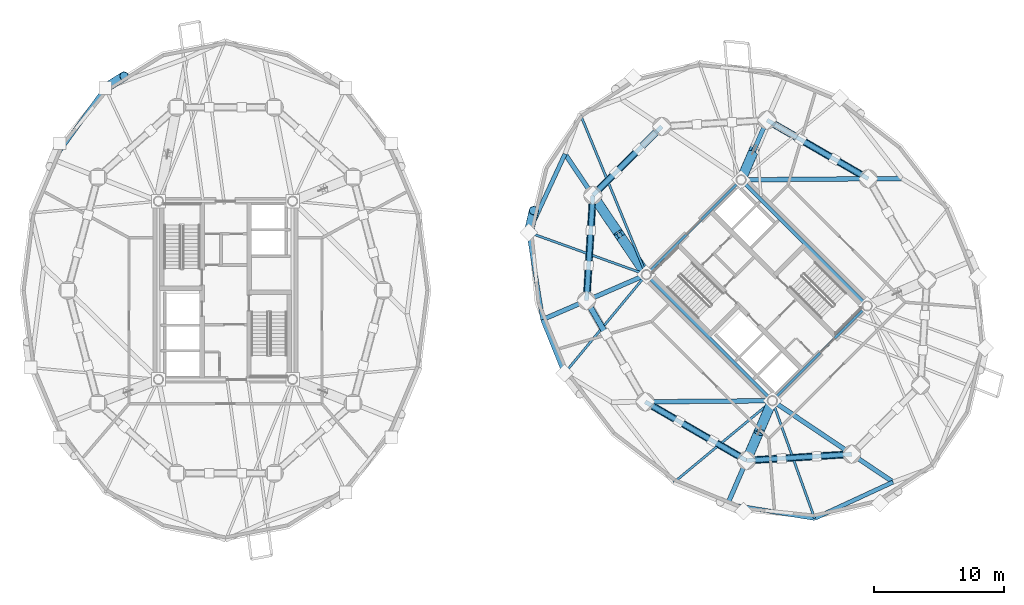
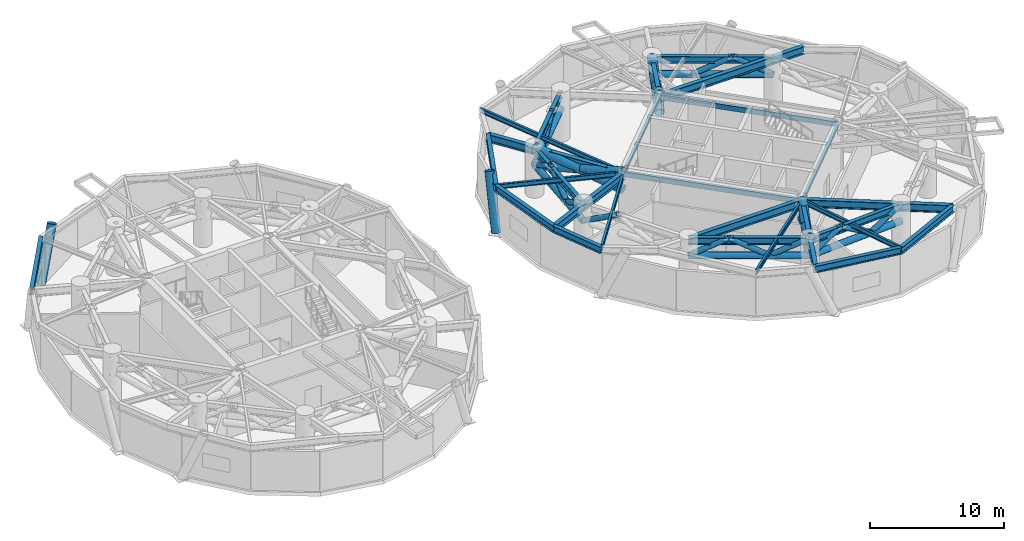
# One storey, part 3 of 16: 29 members, 27 beams.
"""IFC4 building model written with IfcOpenShell, lengths in metres."""

from ifc_helpers import new_model, si_unit, direction, frame, origin, origin_2d, place, context, subcontext, project, spatial, hollow_rectangle, hollow_circle, i_section, extrude, material, material_profile, profile_set, type_object, element, save


model = new_model("IFC4")

# Units and contexts
model_context = context("Model", 3, precision=1e-05, world=origin(), true_north=direction((0.0, 1.0)))
body_context = subcontext(model_context, "Body", "Model", "MODEL_VIEW")
ifc_project = project(units=[si_unit("LENGTHUNIT", "METRE"), si_unit("AREAUNIT", "SQUARE_METRE"), si_unit("VOLUMEUNIT", "CUBIC_METRE"), si_unit("PLANEANGLEUNIT", "RADIAN"), si_unit("MASSUNIT", "GRAM", prefix="KILO")], contexts=[model_context])

# Site, building, storey
site_placement = place(None, origin())
site = spatial("IfcSite", under=ifc_project, at=site_placement, CompositionType="ELEMENT")
building_placement = place(site_placement, origin())
building = spatial("IfcBuilding", under=site, at=building_placement, Name="Cununo Teusaquillo Station Towers", CompositionType="ELEMENT")
storey_placement = place(building_placement, frame((0.0, 0.0, 65.64990234375)))
storey = spatial("IfcBuildingStorey", under=building, at=storey_placement, Name="L20", CompositionType="ELEMENT", Elevation=65.64990234375)

# Beams
ifc_material_1 = material(Name="Steel EN 10025-2 S355J2", Category="steel")
ifc_material_profile_1 = material_profile(ifc_material_1, hollow_rectangle(XDim=0.25, YDim=0.449951171875, WallThickness=0.01611328125, at=origin_2d()), Name="RHS 450x250x16")
ifc_profile_set_1 = profile_set([ifc_material_profile_1], Name="Steel EN 10025-2 S355J2")
beam_type_1 = type_object("IfcBeamType", Name="BM-COUP-1", PredefinedType="USERDEFINED", material=ifc_profile_set_1)
for number, where, z_axis, x_axis, name in (
    (1, (58.70556640625, 15.975830078125, 4.03515625), (-0.707106781187, 0.707106781187, 0.0), (-0.707106781187, -0.707106781187, 0.0), "L20 Tower B Core Beam 1"),
    (2, (66.024169921875, 23.29443359375, 4.03515625), (-0.707106781187, 0.707106781187, 0.0), (-0.707106781187, -0.707106781187, 0.0), "L20 Tower B Core Beam 2"),
):
    element("IfcBeam", number, at=place(storey_placement, frame(where, z_axis=z_axis, x_axis=x_axis)), inside=storey, type_object=beam_type_1, Name=name, ObjectType="COUPLING BEAM", PredefinedType="USERDEFINED", context=body_context, shape_type="SweptSolid", body=[
        extrude(hollow_rectangle(XDim=0.25, YDim=0.449951171875, WallThickness=0.01611328125, at=origin_2d()), origin(), (0.0, 0.0, 1.0), 13.760009765625),
    ])
ifc_material_2 = material(Name="Steel ASTM A572 Grade 50", Category="steel")
ifc_material_profile_2 = material_profile(ifc_material_2, i_section(OverallWidth=0.180908203125, OverallDepth=0.4169921875, WebThickness=0.010986328125, FlangeThickness=0.018310546875, FilletRadius=0.012939453125, at=origin_2d()), Name="W16X57")
ifc_profile_set_2 = profile_set([ifc_material_profile_2], Name="Steel ASTM A572 Grade 50")
beam_type_2 = type_object("IfcBeamType", Name="BM-JOIST-1", PredefinedType="JOIST", material=ifc_profile_set_2)
beam_1_placement = place(storey_placement, frame((48.975830078125, 25.70556640625, 4.051513671875), z_axis=(-0.380485864505, 0.924786735908, 0.0), x_axis=(-0.924786735908, -0.380485864505, 0.0)))
element("IfcBeam", 3, at=beam_1_placement, inside=storey, type_object=beam_type_2, Name="L20 Tower B Radial Spandrel Joist V05", PredefinedType="JOIST", context=body_context, shape_type="SweptSolid", body=[
    extrude(i_section(OverallWidth=0.180908203125, OverallDepth=0.4169921875, WebThickness=0.010986328125, FlangeThickness=0.018310546875, FilletRadius=0.012939453125, at=origin_2d()), origin(), (0.0, 0.0, 1.0), 13.44580078125),
])
beam_2_placement = place(storey_placement, frame((48.975830078125, 25.70556640625, 4.051513671875), z_axis=(-0.941082771055, 0.338176312038, 0.0), x_axis=(-0.338176312038, -0.941082771055, 0.0)))
element("IfcBeam", 4, at=beam_2_placement, inside=storey, type_object=beam_type_2, Name="L20 Tower B Radial Spandrel Joist V07", PredefinedType="JOIST", context=body_context, shape_type="SweptSolid", body=[
    extrude(i_section(OverallWidth=0.180908203125, OverallDepth=0.4169921875, WebThickness=0.010986328125, FlangeThickness=0.018310546875, FilletRadius=0.012939453125, at=origin_2d()), origin(), (0.0, 0.0, 1.0), 9.646484375),
])
for number, where, z_axis, x_axis, name in (
    (5, (48.975830078125, 25.70556640625, 4.051513671875), (-0.638372238196, -0.769727799615, 0.0), (0.769727799615, -0.638372238196, 0.0), "L20 Tower B Radial Spandrel Joist V09"),
    (6, (58.70556640625, 15.975830078125, 4.051513671875), (-0.769727799615, -0.638372238196, 0.0), (0.638372238196, -0.769727799615, 0.0), "L20 Tower B Radial Spandrel Joist V11"),
):
    element("IfcBeam", number, at=place(storey_placement, frame(where, z_axis=z_axis, x_axis=x_axis)), inside=storey, type_object=beam_type_2, Name=name, PredefinedType="JOIST", context=body_context, shape_type="SweptSolid", body=[
        extrude(i_section(OverallWidth=0.180908203125, OverallDepth=0.4169921875, WebThickness=0.010986328125, FlangeThickness=0.018310546875, FilletRadius=0.012939453125, at=origin_2d()), origin(), (0.0, 0.0, 1.0), 9.895263671875),
    ])
beam_3_placement = place(storey_placement, frame((58.70556640625, 15.975830078125, 4.051513671875), z_axis=(0.338176312038, -0.941082771055, 0.0), x_axis=(0.941082771055, 0.338176312038, 0.0)))
element("IfcBeam", 7, at=beam_3_placement, inside=storey, type_object=beam_type_2, Name="L20 Tower B Radial Spandrel Joist V13", PredefinedType="JOIST", context=body_context, shape_type="SweptSolid", body=[
    extrude(i_section(OverallWidth=0.180908203125, OverallDepth=0.4169921875, WebThickness=0.010986328125, FlangeThickness=0.018310546875, FilletRadius=0.012939453125, at=origin_2d()), origin(), (0.0, 0.0, 1.0), 9.646484375),
])
ifc_material_3 = material(Name="Steel ASTM A572 Grade 50", Category="steel")
ifc_material_profile_3 = material_profile(ifc_material_3, i_section(OverallWidth=0.2041015625, OverallDepth=0.35009765625, WebThickness=0.008544921875, FlangeThickness=0.01513671875, FilletRadius=0.011962890625, at=origin_2d()), Name="W14X48")
ifc_profile_set_3 = profile_set([ifc_material_profile_3], Name="Steel ASTM A572 Grade 50")
beam_type_3 = type_object("IfcBeamType", Name="BM-LINTEL-1", PredefinedType="LINTEL", material=ifc_profile_set_3)
for number, where, z_axis, x_axis, name in (
    (8, (58.70556640625, 15.975830078125, 4.085205078125), (0.707106781187, 0.707106781187, 0.0), (-0.707106781187, 0.707106781187, 0.0), "L20 Tower B Core Beam 3"),
    (9, (48.975830078125, 25.70556640625, 4.085205078125), (0.707106781187, 0.707106781187, 0.0), (-0.707106781187, 0.707106781187, 0.0), "L20 Tower B Core Beam 4"),
):
    element("IfcBeam", number, at=place(storey_placement, frame(where, z_axis=z_axis, x_axis=x_axis)), inside=storey, type_object=beam_type_3, Name=name, PredefinedType="LINTEL", context=body_context, shape_type="SweptSolid", body=[
        extrude(i_section(OverallWidth=0.2041015625, OverallDepth=0.35009765625, WebThickness=0.008544921875, FlangeThickness=0.01513671875, FilletRadius=0.011962890625, at=origin_2d()), origin(), (0.0, 0.0, 1.0), 10.35009765625),
    ])
ifc_material_4 = material(Name="Steel ASTM A572 Grade 50", Category="steel")
ifc_material_profile_4 = material_profile(ifc_material_4, i_section(OverallWidth=0.35498046875, OverallDepth=0.696044921875, WebThickness=0.015380859375, FlangeThickness=0.02490234375, FilletRadius=0.01806640625, at=origin_2d()), Name="W27X146")
ifc_profile_set_4 = profile_set([ifc_material_profile_4], Name="Steel ASTM A572 Grade 50")
beam_type_4 = type_object("IfcBeamType", Name="BM-PLNT-G1", PredefinedType="BEAM", material=ifc_profile_set_4)
beam_4_placement = place(storey_placement, frame((56.29443359375, 33.024169921875, 3.912109375), z_axis=(0.999964331255, 0.008446077024, 0.0), x_axis=(-0.008446077024, 0.999964331255, 0.0)))
element("IfcBeam", 10, at=beam_4_placement, inside=storey, type_object=beam_type_4, Name="L20 Tower B Continuous Overhanging Radial Girder 01", PredefinedType="BEAM", context=body_context, shape_type="SweptSolid", body=[
    extrude(i_section(OverallWidth=0.35498046875, OverallDepth=0.696044921875, WebThickness=0.015380859375, FlangeThickness=0.02490234375, FilletRadius=0.01806640625, at=origin_2d()), origin(), (0.0, 0.0, 1.0), 12.400634765625),
])
beam_5_placement = place(storey_placement, frame((56.29443359375, 33.024169921875, 3.912109375), z_axis=(0.397346986387, 0.917668443616, 0.0), x_axis=(-0.917668443616, 0.397346986387, 0.0)))
element("IfcBeam", 11, at=beam_5_placement, inside=storey, type_object=beam_type_4, Name="L20 Tower B Radial Girder 02A", PredefinedType="BEAM", context=body_context, shape_type="SweptSolid", body=[
    extrude(i_section(OverallWidth=0.35498046875, OverallDepth=0.696044921875, WebThickness=0.015380859375, FlangeThickness=0.02490234375, FilletRadius=0.01806640625, at=origin_2d()), origin(), (0.0, 0.0, 1.0), 5.02490234375),
])
beam_6_placement = place(storey_placement, frame((48.975830078125, 25.70556640625, 3.912109375), z_axis=(-0.558572297481, 0.82945583878, 0.0), x_axis=(-0.82945583878, -0.558572297481, 0.0)))
element("IfcBeam", 12, at=beam_6_placement, inside=storey, type_object=beam_type_4, Name="L20 Tower B Continuous Overhanging Radial Girder 04", PredefinedType="BEAM", context=body_context, shape_type="SweptSolid", body=[
    extrude(i_section(OverallWidth=0.35498046875, OverallDepth=0.696044921875, WebThickness=0.015380859375, FlangeThickness=0.02490234375, FilletRadius=0.01806640625, at=origin_2d()), origin(), (0.0, 0.0, 1.0), 11.22998046875),
])
beam_7_placement = place(storey_placement, frame((48.975830078125, 25.70556640625, 3.912109375), z_axis=(-0.917654733344, -0.397378648609, 0.0), x_axis=(0.397378648609, -0.917654733344, 0.0)))
element("IfcBeam", 13, at=beam_7_placement, inside=storey, type_object=beam_type_4, Name="L20 Tower B Continuous Overhanging Radial Girder 05", PredefinedType="BEAM", context=body_context, shape_type="SweptSolid", body=[
    extrude(i_section(OverallWidth=0.35498046875, OverallDepth=0.696044921875, WebThickness=0.015380859375, FlangeThickness=0.02490234375, FilletRadius=0.01806640625, at=origin_2d()), origin(), (0.0, 0.0, 1.0), 8.71484375),
])
beam_8_placement = place(storey_placement, frame((58.70556640625, 15.975830078125, 3.912109375), z_axis=(-0.999964431382, -0.008434214327, 0.0), x_axis=(0.008434214327, -0.999964431382, 0.0)))
element("IfcBeam", 14, at=beam_8_placement, inside=storey, type_object=beam_type_4, Name="L20 Tower B Radial Girder 06A", PredefinedType="BEAM", context=body_context, shape_type="SweptSolid", body=[
    extrude(i_section(OverallWidth=0.35498046875, OverallDepth=0.696044921875, WebThickness=0.015380859375, FlangeThickness=0.02490234375, FilletRadius=0.01806640625, at=origin_2d()), origin(), (0.0, 0.0, 1.0), 9.812744140625),
])
beam_9_placement = place(storey_placement, frame((58.70556640625, 15.975830078125, 3.912109375), z_axis=(-0.397378648609, -0.917654733344, 0.0), x_axis=(0.917654733344, -0.397378648609, 0.0)))
element("IfcBeam", 15, at=beam_9_placement, inside=storey, type_object=beam_type_4, Name="L20 Tower B Continuous Overhanging Radial Girder 07", PredefinedType="BEAM", context=body_context, shape_type="SweptSolid", body=[
    extrude(i_section(OverallWidth=0.35498046875, OverallDepth=0.696044921875, WebThickness=0.015380859375, FlangeThickness=0.02490234375, FilletRadius=0.01806640625, at=origin_2d()), origin(), (0.0, 0.0, 1.0), 8.71484375),
])
beam_10_placement = place(storey_placement, frame((58.70556640625, 15.975830078125, 3.912109375), z_axis=(0.82945583878, -0.558572297481, 0.0), x_axis=(0.558572297481, 0.82945583878, 0.0)))
element("IfcBeam", 16, at=beam_10_placement, inside=storey, type_object=beam_type_4, Name="L20 Tower B Continuous Overhanging Radial Girder 08", PredefinedType="BEAM", context=body_context, shape_type="SweptSolid", body=[
    extrude(i_section(OverallWidth=0.35498046875, OverallDepth=0.696044921875, WebThickness=0.015380859375, FlangeThickness=0.02490234375, FilletRadius=0.01806640625, at=origin_2d()), origin(), (0.0, 0.0, 1.0), 11.22998046875),
])
ifc_material_5 = material(Name="Steel ASTM A572 Grade 50", Category="steel")
ifc_material_profile_5 = material_profile(ifc_material_5, i_section(OverallWidth=0.324951171875, OverallDepth=0.615966796875, WebThickness=0.013916015625, FlangeThickness=0.021484375, FilletRadius=0.01611328125, at=origin_2d()), Name="W24X117")
ifc_profile_set_5 = profile_set([ifc_material_profile_5], Name="Steel ASTM A572 Grade 50")
beam_type_5 = type_object("IfcBeamType", Name="BM-PLNT-G2", PredefinedType="BEAM", material=ifc_profile_set_5)
beam_11_placement = place(storey_placement, frame((7.21240234375, 40.10595703125, 3.9521484375), z_axis=(-0.58594455724, -0.810351143543, 0.0), x_axis=(0.810351143543, -0.58594455724, 0.0)))
element("IfcBeam", 17, at=beam_11_placement, inside=storey, type_object=beam_type_5, Name="L20 Tower A Spandrel Ring Beam 08", PredefinedType="BEAM", context=body_context, shape_type="SweptSolid", body=[
    extrude(i_section(OverallWidth=0.324951171875, OverallDepth=0.615966796875, WebThickness=0.013916015625, FlangeThickness=0.021484375, FilletRadius=0.01611328125, at=origin_2d()), origin(), (0.0, 0.0, 1.0), 6.8115234375),
])
beam_12_placement = place(storey_placement, frame((66.10693359375, 33.10693359375, 3.9521484375), z_axis=(-0.865267103202, 0.501311121078, 0.0), x_axis=(-0.501311121078, -0.865267103202, 0.0)))
element("IfcBeam", 18, at=beam_12_placement, inside=storey, type_object=beam_type_5, Name="L20 Tower B Structural Column Ring Girder 01", PredefinedType="BEAM", context=body_context, shape_type="SweptSolid", body=[
    extrude(i_section(OverallWidth=0.324951171875, OverallDepth=0.615966796875, WebThickness=0.013916015625, FlangeThickness=0.021484375, FilletRadius=0.01611328125, at=origin_2d()), origin(), (0.0, 0.0, 1.0), 9.032958984375),
])
beam_13_placement = place(storey_placement, frame((50.173095703125, 37.146240234375, 3.9521484375), z_axis=(-0.707106781187, -0.707106781187, 0.0), x_axis=(0.707106781187, -0.707106781187, 0.0)))
element("IfcBeam", 19, at=beam_13_placement, inside=storey, type_object=beam_type_5, Name="L20 Tower B Structural Column Ring Girder 03", PredefinedType="BEAM", context=body_context, shape_type="SweptSolid", body=[
    extrude(i_section(OverallWidth=0.324951171875, OverallDepth=0.615966796875, WebThickness=0.013916015625, FlangeThickness=0.021484375, FilletRadius=0.01611328125, at=origin_2d()), origin(), (0.0, 0.0, 1.0), 7.522705078125),
])
beam_14_placement = place(storey_placement, frame((44.853759765625, 31.826904296875, 3.9521484375), z_axis=(-0.06012979176, -0.998190567048, 0.0), x_axis=(0.998190567048, -0.06012979176, 0.0)))
element("IfcBeam", 20, at=beam_14_placement, inside=storey, type_object=beam_type_5, Name="L20 Tower B Structural Column Ring Girder 04", PredefinedType="BEAM", context=body_context, shape_type="SweptSolid", body=[
    extrude(i_section(OverallWidth=0.324951171875, OverallDepth=0.615966796875, WebThickness=0.013916015625, FlangeThickness=0.021484375, FilletRadius=0.01611328125, at=origin_2d()), origin(), (0.0, 0.0, 1.0), 8.132568359375),
])
beam_15_placement = place(storey_placement, frame((48.89306640625, 15.89306640625, 3.9521484375), z_axis=(0.865267103202, -0.501311121078, 0.0), x_axis=(0.501311121078, 0.865267103202, 0.0)))
element("IfcBeam", 21, at=beam_15_placement, inside=storey, type_object=beam_type_5, Name="L20 Tower B Structural Column Ring Girder 06", PredefinedType="BEAM", context=body_context, shape_type="SweptSolid", body=[
    extrude(i_section(OverallWidth=0.324951171875, OverallDepth=0.615966796875, WebThickness=0.013916015625, FlangeThickness=0.021484375, FilletRadius=0.01611328125, at=origin_2d()), origin(), (0.0, 0.0, 1.0), 9.032958984375),
])
beam_16_placement = place(storey_placement, frame((56.708984375, 11.36474609375, 3.9521484375), z_axis=(0.998190567048, 0.06012979176, 0.0), x_axis=(-0.06012979176, 0.998190567048, 0.0)))
element("IfcBeam", 22, at=beam_16_placement, inside=storey, type_object=beam_type_5, Name="L20 Tower B Structural Column Ring Girder 07", PredefinedType="BEAM", context=body_context, shape_type="SweptSolid", body=[
    extrude(i_section(OverallWidth=0.324951171875, OverallDepth=0.615966796875, WebThickness=0.013916015625, FlangeThickness=0.021484375, FilletRadius=0.01611328125, at=origin_2d()), origin(), (0.0, 0.0, 1.0), 8.132568359375),
])
beam_17_placement = place(storey_placement, frame((42.703125, 35.020263671875, 3.9521484375), z_axis=(-0.420535961689, -0.907275870354, 0.0), x_axis=(0.907275870354, -0.420535961689, 0.0)))
element("IfcBeam", 23, at=beam_17_placement, inside=storey, type_object=beam_type_5, Name="L20 Tower B Spandrel Ring Beam 07", PredefinedType="BEAM", context=body_context, shape_type="SweptSolid", body=[
    extrude(i_section(OverallWidth=0.324951171875, OverallDepth=0.615966796875, WebThickness=0.013916015625, FlangeThickness=0.021484375, FilletRadius=0.01611328125, at=origin_2d()), origin(), (0.0, 0.0, 1.0), 6.671142578125),
])
beam_18_placement = place(storey_placement, frame((39.897705078125, 28.9677734375, 3.9521484375), z_axis=(0.158671232312, -0.987331474246, 0.0), x_axis=(0.987331474246, 0.158671232312, 0.0)))
element("IfcBeam", 24, at=beam_18_placement, inside=storey, type_object=beam_type_5, Name="L20 Tower B Spandrel Ring Beam 08", PredefinedType="BEAM", context=body_context, shape_type="SweptSolid", body=[
    extrude(i_section(OverallWidth=0.324951171875, OverallDepth=0.615966796875, WebThickness=0.013916015625, FlangeThickness=0.021484375, FilletRadius=0.01611328125, at=origin_2d()), origin(), (0.0, 0.0, 1.0), 6.8115234375),
])
beam_19_placement = place(storey_placement, frame((40.978515625, 22.242431640625, 3.9521484375), z_axis=(0.375042266631, -0.927007712072, 0.0), x_axis=(0.927007712072, 0.375042266631, 0.0)))
element("IfcBeam", 25, at=beam_19_placement, inside=storey, type_object=beam_type_5, Name="L20 Tower B Spandrel Ring Beam 09", PredefinedType="BEAM", context=body_context, shape_type="SweptSolid", body=[
    extrude(i_section(OverallWidth=0.324951171875, OverallDepth=0.615966796875, WebThickness=0.013916015625, FlangeThickness=0.021484375, FilletRadius=0.01611328125, at=origin_2d()), origin(), (0.0, 0.0, 1.0), 4.480712890625),
])
beam_20_placement = place(storey_placement, frame((55.242431640625, 7.978515625, 3.9521484375), z_axis=(0.987331474246, -0.158671232312, 0.0), x_axis=(0.158671232312, 0.987331474246, 0.0)))
element("IfcBeam", 26, at=beam_20_placement, inside=storey, type_object=beam_type_5, Name="L20 Tower B Spandrel Ring Beam 13", PredefinedType="BEAM", context=body_context, shape_type="SweptSolid", body=[
    extrude(i_section(OverallWidth=0.324951171875, OverallDepth=0.615966796875, WebThickness=0.013916015625, FlangeThickness=0.021484375, FilletRadius=0.01611328125, at=origin_2d()), origin(), (0.0, 0.0, 1.0), 6.8115234375),
])
beam_21_placement = place(storey_placement, frame((61.9677734375, 6.897705078125, 3.9521484375), z_axis=(0.907275870354, 0.420535961689, 0.0), x_axis=(-0.420535961689, 0.907275870354, 0.0)))
element("IfcBeam", 27, at=beam_21_placement, inside=storey, type_object=beam_type_5, Name="L20 Tower B Spandrel Ring Beam 14", PredefinedType="BEAM", context=body_context, shape_type="SweptSolid", body=[
    extrude(i_section(OverallWidth=0.324951171875, OverallDepth=0.615966796875, WebThickness=0.013916015625, FlangeThickness=0.021484375, FilletRadius=0.01611328125, at=origin_2d()), origin(), (0.0, 0.0, 1.0), 6.671142578125),
])

# Members
ifc_material_6 = material(Name="Steel EN 10025-2 S355J2", Category="steel")
ifc_material_profile_6 = material_profile(ifc_material_6, hollow_circle(Radius=0.279541015625, WallThickness=0.02001953125, at=origin_2d()), Name="CHS 559x20")
ifc_profile_set_6 = profile_set([ifc_material_profile_6], Name="Steel EN 10025-2 S355J2")
member_type_1 = type_object("IfcMemberType", Name="MBR-BELT-CH", PredefinedType="CHORD", material=ifc_profile_set_6)
member_1_placement = place(storey_placement, frame((66.10693359375, 33.10693359375, 2.580078125), z_axis=(-0.865267103202, 0.501311121078, 0.0), x_axis=(-0.501311121078, -0.865267103202, 0.0)))
element("IfcMember", 28, at=member_1_placement, inside=storey, type_object=member_type_1, Name="L20 Tower B Belt Truss Lower Chord 01", PredefinedType="CHORD", context=body_context, shape_type="SweptSolid", body=[
    extrude(hollow_circle(Radius=0.279541015625, WallThickness=0.02001953125, at=origin_2d()), origin(), (0.0, 0.0, 1.0), 9.032958984375),
])
member_2_placement = place(storey_placement, frame((50.173095703125, 37.146240234375, 2.580078125), z_axis=(-0.707106781187, -0.707106781187, 0.0), x_axis=(0.707106781187, -0.707106781187, 0.0)))
element("IfcMember", 29, at=member_2_placement, inside=storey, type_object=member_type_1, Name="L20 Tower B Belt Truss Lower Chord 03", PredefinedType="CHORD", context=body_context, shape_type="SweptSolid", body=[
    extrude(hollow_circle(Radius=0.279541015625, WallThickness=0.02001953125, at=origin_2d()), origin(), (0.0, 0.0, 1.0), 7.522705078125),
])
member_3_placement = place(storey_placement, frame((44.853759765625, 31.826904296875, 2.580078125), z_axis=(-0.06012979176, -0.998190567048, 0.0), x_axis=(0.998190567048, -0.06012979176, 0.0)))
element("IfcMember", 30, at=member_3_placement, inside=storey, type_object=member_type_1, Name="L20 Tower B Belt Truss Lower Chord 04", PredefinedType="CHORD", context=body_context, shape_type="SweptSolid", body=[
    extrude(hollow_circle(Radius=0.279541015625, WallThickness=0.02001953125, at=origin_2d()), origin(), (0.0, 0.0, 1.0), 8.132568359375),
])
member_4_placement = place(storey_placement, frame((48.89306640625, 15.89306640625, 2.580078125), z_axis=(0.865267103202, -0.501311121078, 0.0), x_axis=(0.501311121078, 0.865267103202, 0.0)))
element("IfcMember", 31, at=member_4_placement, inside=storey, type_object=member_type_1, Name="L20 Tower B Belt Truss Lower Chord 06", PredefinedType="CHORD", context=body_context, shape_type="SweptSolid", body=[
    extrude(hollow_circle(Radius=0.279541015625, WallThickness=0.02001953125, at=origin_2d()), origin(), (0.0, 0.0, 1.0), 9.032958984375),
])
member_5_placement = place(storey_placement, frame((56.708984375, 11.36474609375, 2.580078125), z_axis=(0.998190567048, 0.06012979176, 0.0), x_axis=(-0.06012979176, 0.998190567048, 0.0)))
element("IfcMember", 32, at=member_5_placement, inside=storey, type_object=member_type_1, Name="L20 Tower B Belt Truss Lower Chord 07", PredefinedType="CHORD", context=body_context, shape_type="SweptSolid", body=[
    extrude(hollow_circle(Radius=0.279541015625, WallThickness=0.02001953125, at=origin_2d()), origin(), (0.0, 0.0, 1.0), 8.132568359375),
])
ifc_material_7 = material(Name="Steel EN 10025-2 S355J2", Category="steel")
ifc_material_profile_7 = material_profile(ifc_material_7, hollow_circle(Radius=0.228515625, WallThickness=0.01611328125, at=origin_2d()), Name="CHS 457x16")
ifc_profile_set_7 = profile_set([ifc_material_profile_7], Name="Steel EN 10025-2 S355J2")
member_type_2 = type_object("IfcMemberType", Name="MBR-BELT-WB", PredefinedType="BRACE", material=ifc_profile_set_7)
for number, where, z_axis, x_axis, name in (
    (33, (66.10693359375, 33.10693359375, 2.580078125), (-0.764059131189, 0.442711799095, 0.469275939069), (-0.50134308018, -0.86524858622, 0.0), "L20 Tower B Belt Truss Warren Brace 01A"),
    (34, (63.501708984375, 34.616455078125, 4.18017578125), (-0.764083350146, 0.442654228339, -0.469290814062), (-0.501282372441, -0.865283758706, 0.0), "L20 Tower B Belt Truss Warren Brace 01B"),
):
    element("IfcMember", number, at=place(storey_placement, frame(where, z_axis=z_axis, x_axis=x_axis)), inside=storey, type_object=member_type_2, Name=name, PredefinedType="BRACE", context=body_context, shape_type="SweptSolid", body=[
        extrude(hollow_circle(Radius=0.228515625, WallThickness=0.01611328125, at=origin_2d()), origin(), (0.0, 0.0, 1.0), 3.40966796875),
    ])
for number, where, z_axis, x_axis, name in (
    (35, (48.39990234375, 35.373291015625, 4.18017578125), (-0.596094798993, -0.596094798993, -0.537905178659), (0.707106781187, -0.707106781187, 0.0), "L20 Tower B Belt Truss Warren Brace 03B"),
    (36, (46.626708984375, 33.60009765625, 2.580078125), (-0.596041885152, -0.596123961974, 0.537931494807), (0.707155461561, -0.707058097461, 0.0), "L20 Tower B Belt Truss Warren Brace 03C"),
):
    element("IfcMember", number, at=place(storey_placement, frame(where, z_axis=z_axis, x_axis=x_axis)), inside=storey, type_object=member_type_2, Name=name, PredefinedType="BRACE", context=body_context, shape_type="SweptSolid", body=[
        extrude(hollow_circle(Radius=0.228515625, WallThickness=0.01611328125, at=origin_2d()), origin(), (0.0, 0.0, 1.0), 2.974609375),
    ])
for number, where, z_axis, x_axis, name in (
    (37, (44.853759765625, 31.826904296875, 2.580078125), (-0.051806892462, -0.859622149777, 0.508296965864), (0.998188873423, -0.060157900347, 0.0), "L20 Tower B Belt Truss Warren Brace 04A"),
    (38, (44.690673828125, 29.120849609375, 4.18017578125), (-0.051729544923, -0.859625601084, -0.508299006632), (0.998194277232, -0.060068168794, 0.0), "L20 Tower B Belt Truss Warren Brace 04B"),
):
    element("IfcMember", number, at=place(storey_placement, frame(where, z_axis=z_axis, x_axis=x_axis)), inside=storey, type_object=member_type_2, Name=name, PredefinedType="BRACE", context=body_context, shape_type="SweptSolid", body=[
        extrude(hollow_circle(Radius=0.228515625, WallThickness=0.01611328125, at=origin_2d()), origin(), (0.0, 0.0, 1.0), 3.14794921875),
    ])
member_6_placement = place(storey_placement, frame((44.52783203125, 26.414794921875, 2.580078125), z_axis=(-0.051810346524, -0.859601901978, 0.508330854964), x_axis=(0.998188547466, -0.060163308645, 0.0)))
element("IfcMember", 39, at=member_6_placement, inside=storey, type_object=member_type_2, Name="L20 Tower B Belt Truss Warren Brace 04C", PredefinedType="BRACE", context=body_context, shape_type="SweptSolid", body=[
    extrude(hollow_circle(Radius=0.228515625, WallThickness=0.01611328125, at=origin_2d()), origin(), (0.0, 0.0, 1.0), 3.147705078125),
])
member_7_placement = place(storey_placement, frame((44.36474609375, 23.708984375, 2.580078125), z_axis=(0.442687580183, -0.764088930246, 0.469250266945), x_axis=(0.865268964153, 0.501307909048, 0.0)))
element("IfcMember", 40, at=member_7_placement, inside=storey, type_object=member_type_2, Name="L20 Tower B Belt Truss Warren Brace 05A", PredefinedType="BRACE", context=body_context, shape_type="SweptSolid", body=[
    extrude(hollow_circle(Radius=0.228515625, WallThickness=0.01611328125, at=origin_2d()), origin(), (0.0, 0.0, 1.0), 3.409912109375),
])
for number, where, z_axis, x_axis, name in (
    (41, (48.89306640625, 15.89306640625, 2.580078125), (0.764059131189, -0.442711799095, 0.469275939069), (0.50134308018, 0.86524858622, 0.0), "L20 Tower B Belt Truss Warren Brace 06A"),
    (42, (51.498291015625, 14.383544921875, 4.18017578125), (0.764083350146, -0.442654228339, -0.469290814062), (0.501282372441, 0.865283758706, 0.0), "L20 Tower B Belt Truss Warren Brace 06B"),
):
    element("IfcMember", number, at=place(storey_placement, frame(where, z_axis=z_axis, x_axis=x_axis)), inside=storey, type_object=member_type_2, Name=name, PredefinedType="BRACE", context=body_context, shape_type="SweptSolid", body=[
        extrude(hollow_circle(Radius=0.228515625, WallThickness=0.01611328125, at=origin_2d()), origin(), (0.0, 0.0, 1.0), 3.40966796875),
    ])
member_8_placement = place(storey_placement, frame((54.103515625, 12.874267578125, 2.580078125), z_axis=(0.764088930246, -0.442687580183, 0.469250266945), x_axis=(0.501307909048, 0.865268964153, 0.0)))
element("IfcMember", 43, at=member_8_placement, inside=storey, type_object=member_type_2, Name="L20 Tower B Belt Truss Warren Brace 06C", PredefinedType="BRACE", context=body_context, shape_type="SweptSolid", body=[
    extrude(hollow_circle(Radius=0.228515625, WallThickness=0.01611328125, at=origin_2d()), origin(), (0.0, 0.0, 1.0), 3.409912109375),
])
member_9_placement = place(storey_placement, frame((56.708984375, 11.36474609375, 2.580078125), z_axis=(0.859601901978, 0.051810346524, 0.508330854964), x_axis=(-0.060163308645, 0.998188547466, 0.0)))
element("IfcMember", 44, at=member_9_placement, inside=storey, type_object=member_type_2, Name="L20 Tower B Belt Truss Warren Brace 07A", PredefinedType="BRACE", context=body_context, shape_type="SweptSolid", body=[
    extrude(hollow_circle(Radius=0.228515625, WallThickness=0.01611328125, at=origin_2d()), origin(), (0.0, 0.0, 1.0), 3.147705078125),
])
for number, where, z_axis, x_axis, name in (
    (45, (59.414794921875, 11.52783203125, 4.18017578125), (0.859625601084, 0.051729544923, -0.508299006632), (-0.060068168794, 0.998194277232, 0.0), "L20 Tower B Belt Truss Warren Brace 07B"),
    (46, (62.120849609375, 11.690673828125, 2.580078125), (0.859622149777, 0.051806892462, 0.508296965864), (-0.060157900347, 0.998188873423, 0.0), "L20 Tower B Belt Truss Warren Brace 07C"),
):
    element("IfcMember", number, at=place(storey_placement, frame(where, z_axis=z_axis, x_axis=x_axis)), inside=storey, type_object=member_type_2, Name=name, PredefinedType="BRACE", context=body_context, shape_type="SweptSolid", body=[
        extrude(hollow_circle(Radius=0.228515625, WallThickness=0.01611328125, at=origin_2d()), origin(), (0.0, 0.0, 1.0), 3.14794921875),
    ])
ifc_material_8 = material(Name="Steel EN 10025-2 S355J2", Category="steel")
ifc_material_profile_8 = material_profile(ifc_material_8, hollow_circle(Radius=0.360107421875, WallThickness=0.028076171875, at=origin_2d()), Name="CHS 720x28")
ifc_profile_set_8 = profile_set([ifc_material_profile_8], Name="Steel EN 10025-2 S355J2")
member_type_3 = type_object("IfcMemberType", Name="MBR-DIAG-Z1", PredefinedType="BRACE", material=ifc_profile_set_8)
for number, where, z_axis, x_axis, name in (
    (47, (7.21240234375, 40.10595703125, -0.139892578125), (0.304569035114, 0.189456727696, 0.933458007187), (-0.528195574716, 0.849122744278, 0.0), "L20 Tower A Folded-Zigzag Diagrid Tube C06"),
    (48, (39.897705078125, 28.9677734375, -0.139892578125), (0.081385119528, 0.349292575846, 0.933472634188), (-0.973913029911, 0.226921594761, 0.0), "L20 Tower B Folded-Zigzag Diagrid Tube C06"),
):
    element("IfcMember", number, at=place(storey_placement, frame(where, z_axis=z_axis, x_axis=x_axis)), inside=storey, type_object=member_type_3, Name=name, PredefinedType="BRACE", context=body_context, shape_type="SweptSolid", body=[
        extrude(hollow_circle(Radius=0.360107421875, WallThickness=0.028076171875, at=origin_2d()), origin(), (0.0, 0.0, 1.0), 4.82080078125),
    ])
ifc_material_9 = material(Name="Steel EN 10025-2 S355J2", Category="steel")
ifc_material_profile_9 = material_profile(ifc_material_9, hollow_circle(Radius=0.3798828125, WallThickness=0.031982421875, at=origin_2d()), Name="CHS 760x32")
ifc_profile_set_9 = profile_set([ifc_material_profile_9], Name="Steel EN 10025-2 S355J2")
member_type_4 = type_object("IfcMemberType", Name="MBR-OUTR-1", PredefinedType="STRUT", material=ifc_profile_set_9)
member_10_placement = place(storey_placement, frame((48.975830078125, 25.70556640625, 2.580078125), z_axis=(-0.545873565841, 0.810630651288, 0.211896194653), x_axis=(-0.829466017323, -0.558557182486, 0.0)))
element("IfcMember", 49, at=member_10_placement, inside=storey, type_object=member_type_4, Name="L20 Tower B Outrigger Continuous Diagonal 1A", PredefinedType="STRUT", context=body_context, shape_type="SweptSolid", body=[
    extrude(hollow_circle(Radius=0.3798828125, WallThickness=0.031982421875, at=origin_2d()), origin(), (0.0, 0.0, 1.0), 7.55126953125),
])
for number, where, z_axis, x_axis, name in (
    (50, (48.975830078125, 25.70556640625, 4.18017578125), (-0.545919860657, 0.810593630692, -0.211918549501), (-0.82943225041, -0.5586073236, 0.0), "L20 Tower B Outrigger Split Upper Strut 1B1"),
    (51, (46.78369140625, 28.960693359375, 3.3291015625), (-0.545848816992, 0.810659723149, -0.211848724925), (-0.829487029947, -0.558525977149, 0.0), "L20 Tower B Outrigger Split Lower Strut 1B2"),
):
    element("IfcMember", number, at=place(storey_placement, frame(where, z_axis=z_axis, x_axis=x_axis)), inside=storey, type_object=member_type_4, Name=name, PredefinedType="STRUT", context=body_context, shape_type="SweptSolid", body=[
        extrude(hollow_circle(Radius=0.3798828125, WallThickness=0.031982421875, at=origin_2d()), origin(), (0.0, 0.0, 1.0), 3.53564453125),
    ])
member_11_placement = place(storey_placement, frame((56.29443359375, 33.024169921875, 2.580078125), z_axis=(0.378613801651, 0.874404361921, 0.303428082175), x_axis=(-0.917668443616, 0.397346986387, 0.0)))
element("IfcMember", 52, at=member_11_placement, inside=storey, type_object=member_type_4, Name="L20 Tower B Outrigger Continuous Diagonal 2A", PredefinedType="STRUT", context=body_context, shape_type="SweptSolid", body=[
    extrude(hollow_circle(Radius=0.3798828125, WallThickness=0.031982421875, at=origin_2d()), origin(), (0.0, 0.0, 1.0), 5.2734375),
])
member_12_placement = place(storey_placement, frame((56.29443359375, 33.024169921875, 4.18017578125), z_axis=(0.378624789791, 0.874392035396, -0.30344989206), x_axis=(-0.917662196117, 0.397361414605, 0.0)))
element("IfcMember", 53, at=member_12_placement, inside=storey, type_object=member_type_4, Name="L20 Tower B Outrigger Split Upper Strut 2B1", PredefinedType="STRUT", context=body_context, shape_type="SweptSolid", body=[
    extrude(hollow_circle(Radius=0.3798828125, WallThickness=0.031982421875, at=origin_2d()), origin(), (0.0, 0.0, 1.0), 2.396728515625),
])
member_13_placement = place(storey_placement, frame((58.70556640625, 15.975830078125, 2.580078125), z_axis=(-0.378613801651, -0.874404361921, 0.303428082175), x_axis=(0.917668443616, -0.397346986387, 0.0)))
element("IfcMember", 54, at=member_13_placement, inside=storey, type_object=member_type_4, Name="L20 Tower B Outrigger Continuous Diagonal 3A", PredefinedType="STRUT", context=body_context, shape_type="SweptSolid", body=[
    extrude(hollow_circle(Radius=0.3798828125, WallThickness=0.031982421875, at=origin_2d()), origin(), (0.0, 0.0, 1.0), 5.2734375),
])
for number, where, z_axis, x_axis, name in (
    (55, (58.70556640625, 15.975830078125, 4.18017578125), (-0.378624789791, -0.874392035396, -0.30344989206), (0.917662196117, -0.397361414605, 0.0), "L20 Tower B Outrigger Split Upper Strut 3B1"),
    (56, (57.616455078125, 13.46044921875, 3.307373046875), (-0.378624789791, -0.874392035396, -0.30344989206), (0.917662196117, -0.397361414605, 0.0), "L20 Tower B Outrigger Split Lower Strut 3B2"),
):
    element("IfcMember", number, at=place(storey_placement, frame(where, z_axis=z_axis, x_axis=x_axis)), inside=storey, type_object=member_type_4, Name=name, PredefinedType="STRUT", context=body_context, shape_type="SweptSolid", body=[
        extrude(hollow_circle(Radius=0.3798828125, WallThickness=0.031982421875, at=origin_2d()), origin(), (0.0, 0.0, 1.0), 2.396728515625),
    ])

save(model, "model.ifc")
